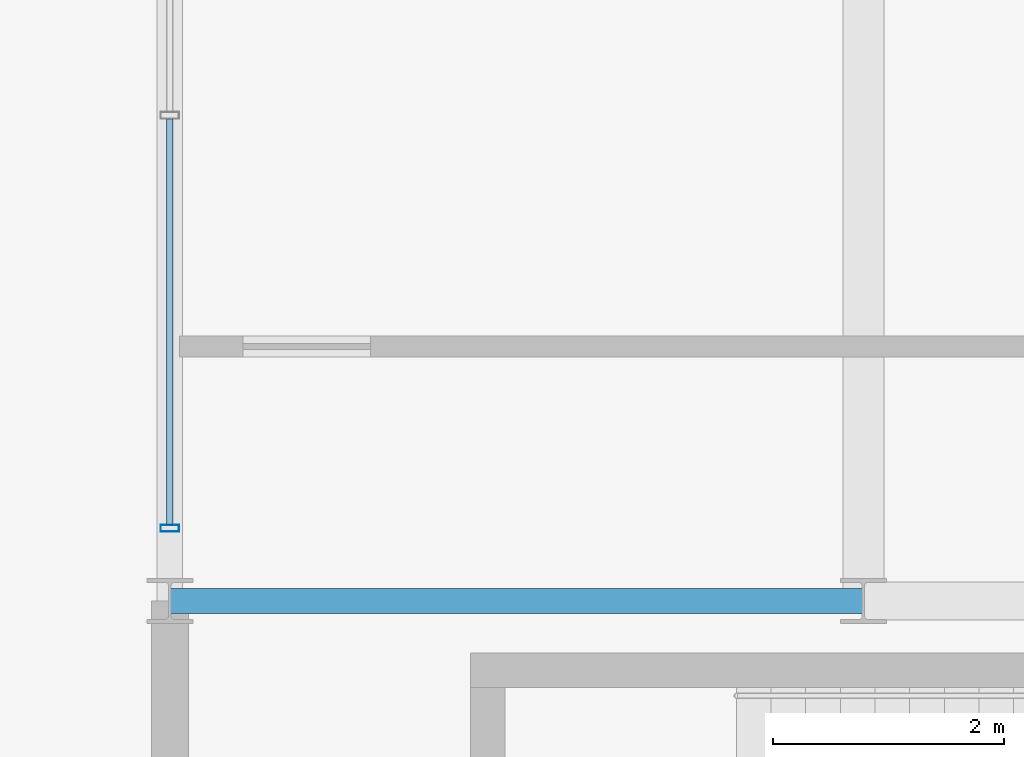
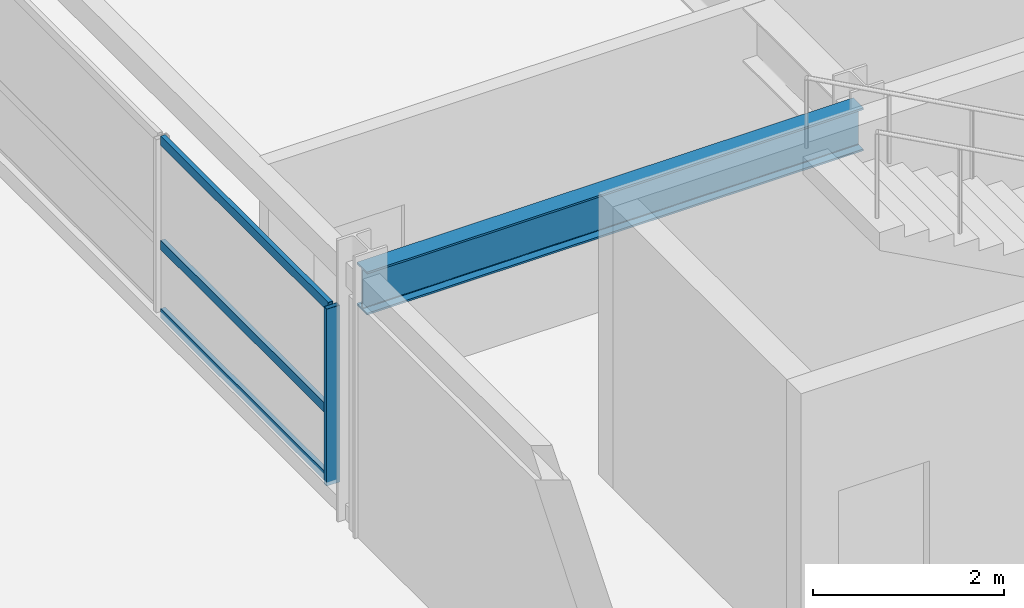
# One storey, part 6 of 24: 4 members, 1 beam, 1 element without a shape of its own.
"""IFC4 building model written with IfcOpenShell, lengths in metres."""

from ifc_helpers import new_model, si_unit, direction, frame, origin, origin_2d, place, context, subcontext, project, spatial, hollow_rectangle, i_section, extrude, material, material_profile, profile_set, type_object, element, aggregate, save


model = new_model("IFC4")

# Units and contexts
model_context = context("Model", 3, precision=1e-05, world=origin(), true_north=direction((0.0, 1.0)))
body_context = subcontext(model_context, "Body", "Model", "MODEL_VIEW")
ifc_project = project(units=[si_unit("LENGTHUNIT", "METRE"), si_unit("AREAUNIT", "SQUARE_METRE"), si_unit("VOLUMEUNIT", "CUBIC_METRE"), si_unit("PLANEANGLEUNIT", "RADIAN"), si_unit("MASSUNIT", "GRAM", prefix="KILO")], contexts=[model_context])

# Site, building, storey
site_placement = place(None, origin())
site = spatial("IfcSite", under=ifc_project, at=site_placement, CompositionType="ELEMENT")
building_placement = place(site_placement, origin())
building = spatial("IfcBuilding", under=site, at=building_placement, Name="Kaldorvane Square Convention Centre", CompositionType="ELEMENT")
storey_placement = place(building_placement, frame((0.0, 0.0, 60.0)))
storey = spatial("IfcBuildingStorey", under=building, at=storey_placement, Name="L14", CompositionType="ELEMENT", Elevation=60.0)

# Beam
ifc_material_1 = material(Name="Steel ASTM A992 Gr. 50", Category="steel")
ifc_material_profile_1 = material_profile(ifc_material_1, i_section(OverallWidth=0.213897705078125, OverallDepth=0.549102783203125, WebThickness=0.0146942138671875, FlangeThickness=0.0236053466796875, FilletRadius=0.0126953125, at=origin_2d()), Name="W21X93")
ifc_profile_set_1 = profile_set([ifc_material_profile_1], Name="Steel ASTM A992 Gr. 50")
beam_type = type_object("IfcBeamType", Name="BM-GR-W21X93", PredefinedType="BEAM", material=ifc_profile_set_1)
beam_placement = place(storey_placement, frame((36.0, 105.0, 3.011505126953125), z_axis=(1.0, 0.0, 0.0), x_axis=(0.0, 1.0, 0.0)))
element("IfcBeam", 1, at=beam_placement, inside=storey, type_object=beam_type, Name="Primary Girder (L14)", PredefinedType="BEAM", context=body_context, shape_type="SweptSolid", body=[
    extrude(i_section(OverallWidth=0.213897705078125, OverallDepth=0.549102783203125, WebThickness=0.0146942138671875, FlangeThickness=0.0236053466796875, FilletRadius=0.0126953125, at=origin_2d()), origin(), (0.0, 0.0, 1.0), 6.0),
])

# Curtain wall, members
ifc_material_2 = material(Name="Anodized Aluminum and Low-E Insulated Glazing", Category="aluminium")
curtain_wall_type = type_object("IfcCurtainWallType", Name="CW-UNI-HTL-B", PredefinedType="USERDEFINED", material=ifc_material_2)
curtain_wall_placement = place(storey_placement, origin())
curtain_wall = element("IfcCurtainWall", 2, at=curtain_wall_placement, inside=storey, type_object=curtain_wall_type, Name="Curtain Wall CW-11 (L14)", ObjectType="UNITISED GLAZING", PredefinedType="USERDEFINED")
ifc_material_profile_2 = material_profile(ifc_material_2, hollow_rectangle(XDim=0.05999755859375, YDim=0.160003662109375, WallThickness=0.003204345703125, at=origin_2d()), Name="CWM-160X60")
ifc_profile_set_2 = profile_set([ifc_material_profile_2], Name="Anodized Aluminum and Low-E Insulated Glazing")
member_type_1 = type_object("IfcMemberType", Name="CW-MUL-160", PredefinedType="MULLION", material=ifc_profile_set_2)
member_1_placement = place(storey_placement, frame((36.0, 105.6300048828125, 0.149993896484375), z_axis=(0.0, 0.0, 1.0), x_axis=(0.0, -1.0, 0.0)))
member_1 = element("IfcMember", 3, at=member_1_placement, type_object=member_type_1, Name="CW-11 mullion 4", PredefinedType="MULLION", context=body_context, shape_type="SweptSolid", body=[
    extrude(hollow_rectangle(XDim=0.05999755859375, YDim=0.160003662109375, WallThickness=0.003204345703125, at=origin_2d()), origin(), (0.0, 0.0, 1.0), 2.260009765625),
])
ifc_material_profile_3 = material_profile(ifc_material_2, hollow_rectangle(XDim=0.05499267578125, YDim=0.1199951171875, WallThickness=0.0030059814453125, at=origin_2d()), Name="CWT-120X55")
ifc_profile_set_3 = profile_set([ifc_material_profile_3], Name="Anodized Aluminum and Low-E Insulated Glazing")
member_type_2 = type_object("IfcMemberType", Name="CW-TRN-120", PredefinedType="USERDEFINED", material=ifc_profile_set_3)
member_2_placement = place(storey_placement, frame((36.0, 109.16999816894531, 0.1775054931640625), z_axis=(0.0, -1.0, 0.0), x_axis=(1.0, 0.0, 0.0)))
member_2 = element("IfcMember", 4, at=member_2_placement, type_object=member_type_2, Name="CW-11 transom 3.1", ObjectType="TRANSOM", PredefinedType="USERDEFINED", context=body_context, shape_type="SweptSolid", body=[
    extrude(hollow_rectangle(XDim=0.05499267578125, YDim=0.1199951171875, WallThickness=0.0030059814453125, at=origin_2d()), origin(), (0.0, 0.0, 1.0), 3.5099945068359375),
])
member_3_placement = place(storey_placement, frame((36.0, 109.16999816894531, 1.0500030517578125), z_axis=(0.0, -1.0, 0.0), x_axis=(1.0, 0.0, 0.0)))
member_3 = element("IfcMember", 5, at=member_3_placement, type_object=member_type_2, Name="CW-11 transom 3.2", ObjectType="TRANSOM", PredefinedType="USERDEFINED", context=body_context, shape_type="SweptSolid", body=[
    extrude(hollow_rectangle(XDim=0.05499267578125, YDim=0.1199951171875, WallThickness=0.0030059814453125, at=origin_2d()), origin(), (0.0, 0.0, 1.0), 3.5099945068359375),
])
member_4_placement = place(storey_placement, frame((36.0, 109.16999816894531, 2.38250732421875), z_axis=(0.0, -1.0, 0.0), x_axis=(1.0, 0.0, 0.0)))
member_4 = element("IfcMember", 6, at=member_4_placement, type_object=member_type_2, Name="CW-11 transom 3.3", ObjectType="TRANSOM", PredefinedType="USERDEFINED", context=body_context, shape_type="SweptSolid", body=[
    extrude(hollow_rectangle(XDim=0.05499267578125, YDim=0.1199951171875, WallThickness=0.0030059814453125, at=origin_2d()), origin(), (0.0, 0.0, 1.0), 3.5099945068359375),
])
aggregate(curtain_wall, [member_1, member_2, member_3, member_4])

save(model, "model.ifc")
